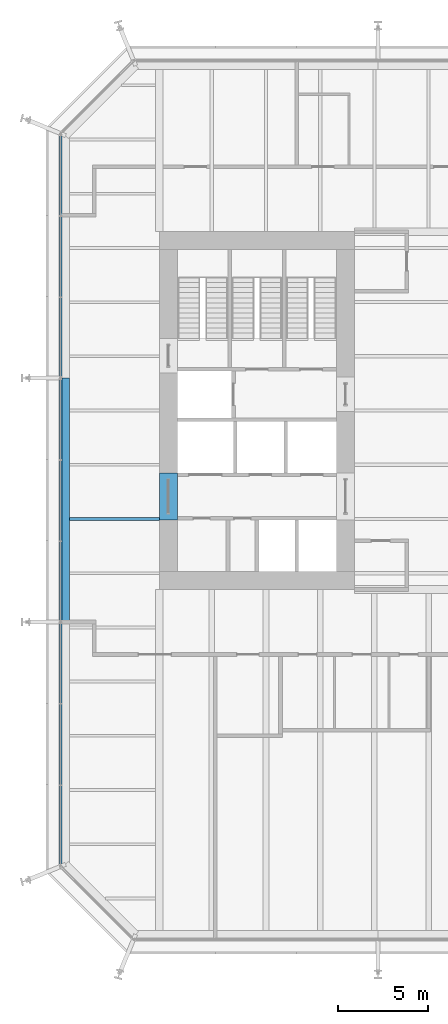
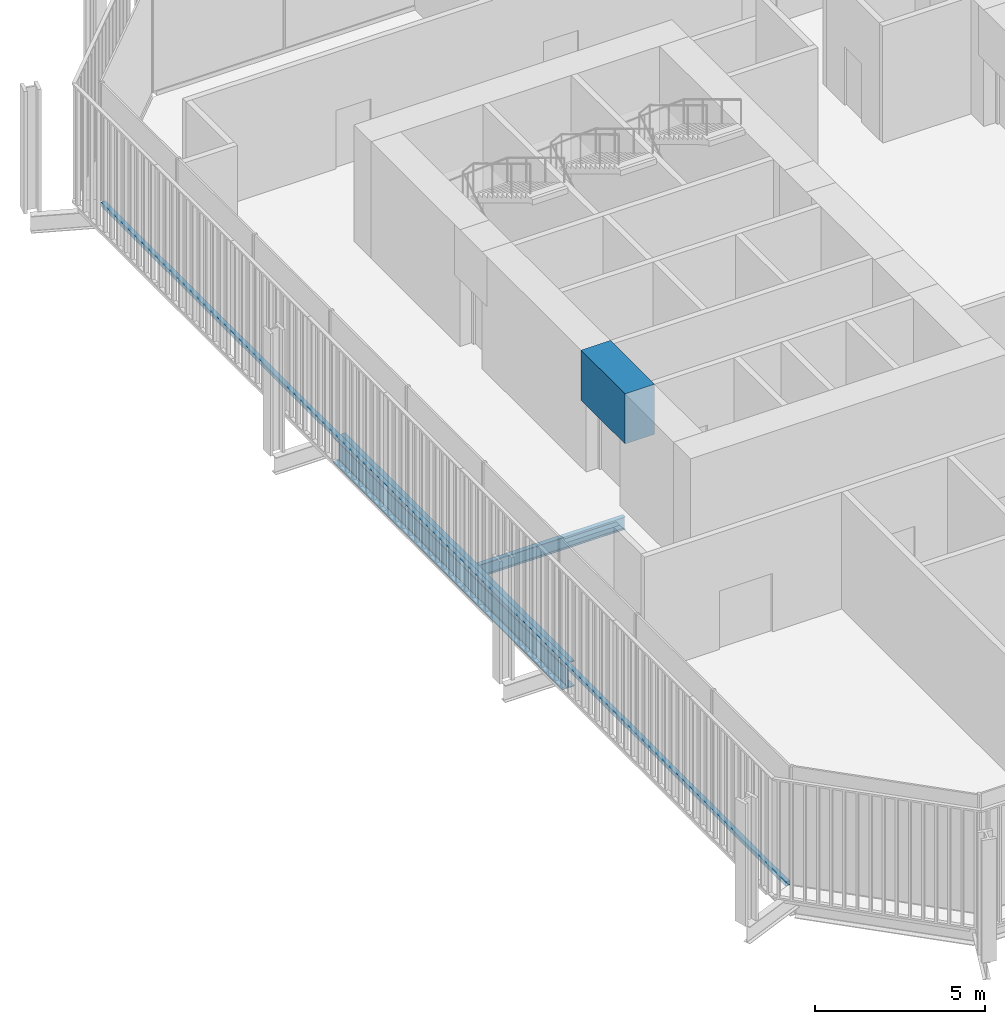
# One storey, part 6 of 20: 3 beams, 1 member, 1 element without a shape of its own.
"""IFC4 building model written with IfcOpenShell, lengths in metres."""

from ifc_helpers import new_model, si_unit, direction, frame, origin, origin_2d, place, context, subcontext, project, spatial, rectangle, i_section, extrude, material, layer, layer_set, material_profile, profile_set, type_object, element, aggregate, save


model = new_model("IFC4")

# Units and contexts
model_context = context("Model", 3, precision=1e-05, world=origin(), true_north=direction((0.0, 1.0)))
body_context = subcontext(model_context, "Body", "Model", "MODEL_VIEW")
ifc_project = project(units=[si_unit("LENGTHUNIT", "METRE"), si_unit("AREAUNIT", "SQUARE_METRE"), si_unit("VOLUMEUNIT", "CUBIC_METRE"), si_unit("PLANEANGLEUNIT", "RADIAN"), si_unit("MASSUNIT", "GRAM", prefix="KILO")], contexts=[model_context])

# Site, building, storey
site_placement = place(None, origin())
site = spatial("IfcSite", under=ifc_project, at=site_placement, CompositionType="ELEMENT")
building_placement = place(site_placement, origin())
building = spatial("IfcBuilding", under=site, at=building_placement, Name="Millrace Tower", CompositionType="ELEMENT")
storey_placement = place(building_placement, frame((0.0, 0.0, 86.39990234375)))
storey = spatial("IfcBuildingStorey", under=building, at=storey_placement, Name="L19", CompositionType="ELEMENT", Elevation=86.39990234375)

# Curtain wall, member
ifc_material_1 = material(Name="Aluminium and glass", Category="aluminium")
ifc_layer = layer(ifc_material_1, 0.14990234375)
ifc_layer_set = layer_set([ifc_layer], Name="Aluminium and glass")
curtain_wall_type = type_object("IfcCurtainWallType", Name="CW-3 telecom floor curtain wall", PredefinedType="NOTDEFINED", material=ifc_layer_set)
curtain_wall_placement = place(storey_placement, origin())
curtain_wall = element("IfcCurtainWall", 1, at=curtain_wall_placement, inside=storey, type_object=curtain_wall_type, Name="Curtain wall B-F08 L19", PredefinedType="NOTDEFINED")
ifc_material_2 = material(Name="Aluminium", Category="aluminium")
ifc_material_profile_1 = material_profile(ifc_material_2, rectangle(XDim=0.14990234375, YDim=0.14990234375, at=origin_2d()))
ifc_profile_set_1 = profile_set([ifc_material_profile_1], Name="Aluminium")
member_type = type_object("IfcMemberType", Name="CW-3 telecom floor curtain wall transom", PredefinedType="USERDEFINED", material=ifc_profile_set_1)
member_placement = place(storey_placement, frame((-20.375, 15.199951171875, 0.0751953125), z_axis=(0.0, -1.0, 0.0), x_axis=(1.0, 0.0, 0.0)))
member = element("IfcMember", 2, at=member_placement, type_object=member_type, Name="CW3 transom B-F08.1", ObjectType="TRANSOM", PredefinedType="USERDEFINED", context=body_context, shape_type="SweptSolid", body=[
    extrude(rectangle(XDim=0.14990234375, YDim=0.14990234375, at=origin_2d()), origin(), (0.0, 0.0, 1.0), 40.300048828125),
])
aggregate(curtain_wall, [member])

# Beams
ifc_material_3 = material(Name="Concrete C80", Category="concrete")
ifc_material_profile_2 = material_profile(ifc_material_3, rectangle(XDim=1.0, YDim=1.800048828125, at=origin_2d()))
ifc_profile_set_2 = profile_set([ifc_material_profile_2], Name="Concrete C80")
beam_type_1 = type_object("IfcBeamType", Name="Coupling beam 1000 x 1800 Concrete C80, 2000 opening", PredefinedType="BEAM", material=ifc_profile_set_2)
beam_1_placement = place(storey_placement, frame((-14.39990234375, -6.050048828125, 3.300048828125), z_axis=(0.0, 1.0, 0.0), x_axis=(-1.0, 0.0, 0.0)))
element("IfcBeam", 3, at=beam_1_placement, inside=storey, type_object=beam_type_1, Name="Coupling beam W L19", PredefinedType="BEAM", context=body_context, shape_type="SweptSolid", body=[
    extrude(rectangle(XDim=1.0, YDim=1.800048828125, at=origin_2d()), origin(), (0.0, 0.0, 1.0), 2.60009765625),
])
ifc_material_4 = material(Name="Steel ASTM A992 Grade 50", Category="steel")
ifc_material_profile_3 = material_profile(ifc_material_4, i_section(OverallWidth=0.15234375, OverallDepth=0.449462890625, WebThickness=0.007568359375, FlangeThickness=0.0107421875, FilletRadius=0.01025390625, at=origin_2d()))
ifc_profile_set_3 = profile_set([ifc_material_profile_3], Name="Steel ASTM A992 Grade 50")
beam_type_2 = type_object("IfcBeamType", Name="Floor beam W18x35", PredefinedType="JOIST", material=ifc_profile_set_3)
beam_2_placement = place(storey_placement, frame((-19.880859375, -6.0, -0.4248046875), z_axis=(1.0, 0.0, 0.0), x_axis=(0.0, 1.0, 0.0)))
element("IfcBeam", 4, at=beam_2_placement, inside=storey, type_object=beam_type_2, Name="BM-B-L19-S1-S017", PredefinedType="JOIST", context=body_context, shape_type="SweptSolid", body=[
    extrude(i_section(OverallWidth=0.15234375, OverallDepth=0.449462890625, WebThickness=0.007568359375, FlangeThickness=0.0107421875, FilletRadius=0.01025390625, at=origin_2d()), origin(), (0.0, 0.0, 1.0), 4.98095703125),
])
ifc_material_5 = material(Name="Steel ASTM A992 Grade 50", Category="steel")
ifc_material_profile_4 = material_profile(ifc_material_5, i_section(OverallWidth=0.419189453125, OverallDepth=0.927001953125, WebThickness=0.019287109375, FlangeThickness=0.031982421875, FilletRadius=0.024169921875, at=origin_2d()))
ifc_profile_set_4 = profile_set([ifc_material_profile_4], Name="Steel ASTM A992 Grade 50")
beam_type_3 = type_object("IfcBeamType", Name="Ring beam medium span W36x231", PredefinedType="SPANDREL", material=ifc_profile_set_4)
beam_3_placement = place(storey_placement, frame((-20.09033203125, -11.699951171875, -0.66357421875), z_axis=(0.0, 1.0, 0.0), x_axis=(-1.0, 0.0, 0.0)))
element("IfcBeam", 5, at=beam_3_placement, inside=storey, type_object=beam_type_3, Name="RNG-B-L19-S1-02", PredefinedType="SPANDREL", context=body_context, shape_type="SweptSolid", body=[
    extrude(i_section(OverallWidth=0.419189453125, OverallDepth=0.927001953125, WebThickness=0.019287109375, FlangeThickness=0.031982421875, FilletRadius=0.024169921875, at=origin_2d()), origin(), (0.0, 0.0, 1.0), 13.5),
])

save(model, "model.ifc")
